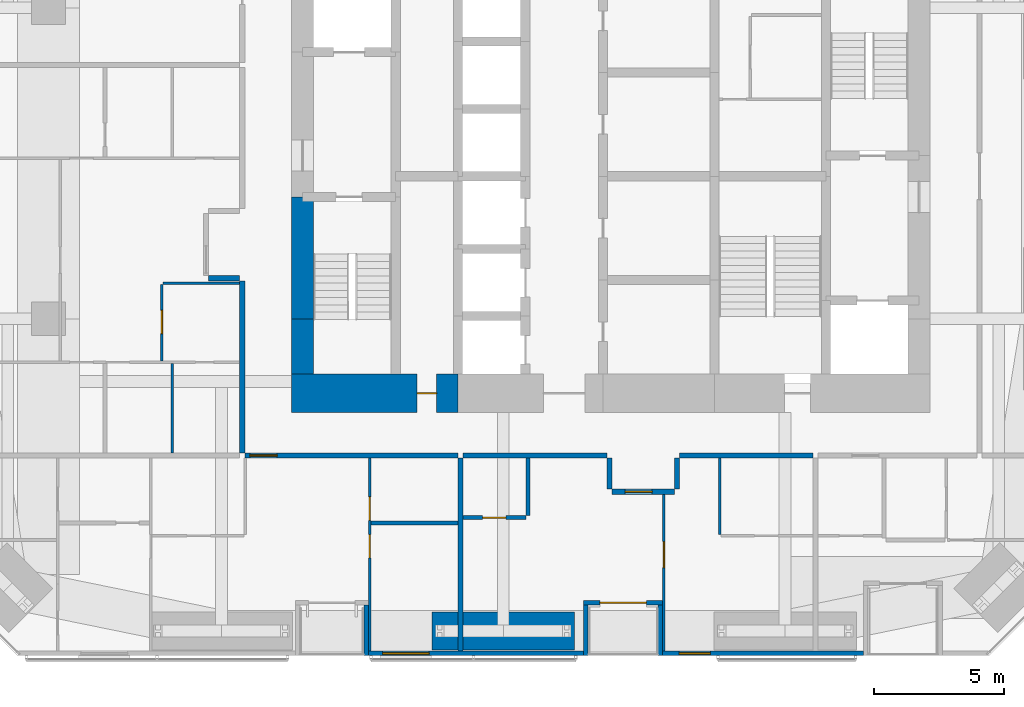
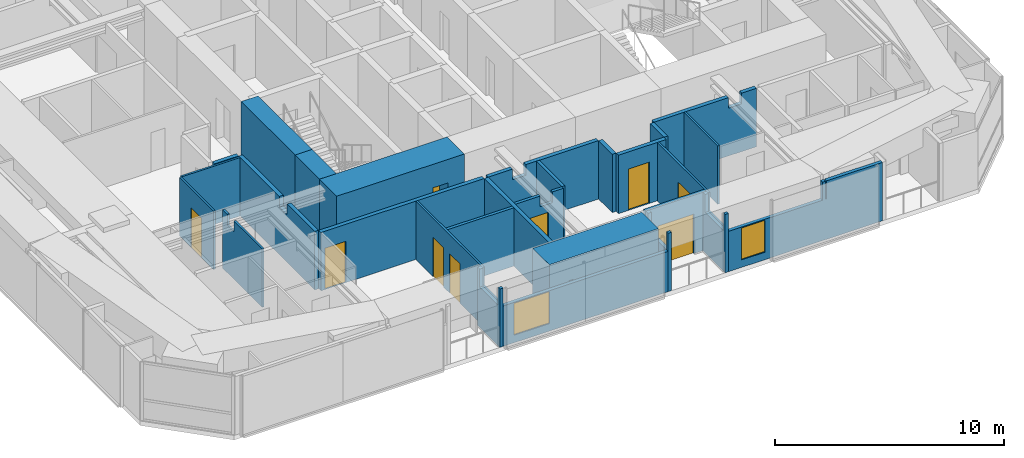
# One storey, part 17 of 23: 28 walls, 9 doors, 2 windows, 11 openings.
"""IFC4 building model written with IfcOpenShell, lengths in metres."""

import ifcopenshell
import ifcopenshell.guid

model = None  # the IFC model being written
_history = None  # IfcOwnerHistory: only IFC2X3 demands one
_inside = {}  # id of a spatial element -> (the spatial element, [elements in it])
_under = {}  # id of a project, library or spatial element -> (it, [spatial elements below it])
_declared = {}  # id of a project -> (the project, [libraries it declares])
_typed = {}  # id of a type object -> (the type object, [elements of that type])
_made_of = {}  # id of a material, layer set ... -> (it, [elements and type objects made of it])


def new_model(schema):
    """Start an empty IFC model of exactly this schema.

    Asked for "IFC4X3", IfcOpenShell would pick the latest addendum, in which some entities
    have other attributes; the version numbers below select the first issue.
    IFC2X3 requires an IfcOwnerHistory on every rooted entity: one is made here for all.
    """
    global model, _history
    if schema == "IFC4X3":
        model = ifcopenshell.file(schema_version=(4, 3, 0, 0))
    else:
        model = ifcopenshell.file(schema=schema)
    _inside.clear()
    _under.clear()
    _declared.clear()
    _typed.clear()
    _made_of.clear()
    _history = None
    if model.schema == "IFC2X3":
        org = make("IfcOrganization", Name="unknown")
        user = make(
            "IfcPersonAndOrganization",
            ThePerson=make("IfcPerson", FamilyName="unknown"),
            TheOrganization=org,
        )
        app = make(
            "IfcApplication",
            ApplicationDeveloper=org,
            Version="unknown",
            ApplicationFullName="unknown",
            ApplicationIdentifier="unknown",
        )
        _history = make(
            "IfcOwnerHistory",
            OwningUser=user,
            OwningApplication=app,
            ChangeAction="ADDED",
            CreationDate=0,
        )
    return model


def make(cls, **values):
    """One entity of the class cls with the attributes given. An attribute that is None is left unset."""
    return model.create_entity(
        cls, **{name: value for name, value in values.items() if value is not None}
    )


def rooted(cls, **values):
    """An entity with a GlobalId (a new one), such as an element, a storey or a relation."""
    return make(cls, GlobalId=ifcopenshell.guid.new(), OwnerHistory=_history, **values)


def si_unit(unit_type, name, prefix=None):
    """IfcSIUnit, for example si_unit("LENGTHUNIT", "METRE", prefix="MILLI")."""
    return make("IfcSIUnit", UnitType=unit_type, Prefix=prefix, Name=name)


def assignment(units):
    """IfcUnitAssignment: the units of a project."""
    return None if units is None else make("IfcUnitAssignment", Units=units)


def point(xyz):
    """IfcCartesianPoint."""
    return None if xyz is None else make("IfcCartesianPoint", Coordinates=xyz)


def direction(xyz):
    """IfcDirection."""
    return None if xyz is None else make("IfcDirection", DirectionRatios=xyz)


def frame(location, z_axis=None, x_axis=None):
    """IfcAxis2Placement3D, a coordinate frame: its origin and axes. An axis left out is left unset."""
    return make(
        "IfcAxis2Placement3D",
        Location=point(location),
        Axis=direction(z_axis),
        RefDirection=direction(x_axis),
    )


def frame_2d(location, x_axis=None):
    """IfcAxis2Placement2D, a coordinate frame in the plane: its origin and x axis."""
    return make(
        "IfcAxis2Placement2D", Location=point(location), RefDirection=direction(x_axis)
    )


def origin():
    """The frame at (0, 0, 0) with its axes left unset."""
    return frame((0.0, 0.0, 0.0))


def place(relative_to, where):
    """IfcLocalPlacement: puts the frame where relative to a parent placement (None: the world)."""
    return make(
        "IfcLocalPlacement", PlacementRelTo=relative_to, RelativePlacement=where
    )


def context(
    kind, dimensions, precision=None, world=None, true_north=None, identifier=None
):
    """IfcGeometricRepresentationContext, for example the 3D "Model" context."""
    return make(
        "IfcGeometricRepresentationContext",
        ContextIdentifier=identifier,
        ContextType=kind,
        CoordinateSpaceDimension=dimensions,
        Precision=precision,
        WorldCoordinateSystem=world,
        TrueNorth=true_north,
    )


def subcontext(parent, identifier, kind, view, scale=None):
    """IfcGeometricRepresentationSubContext, for example "Body" below "Model"."""
    return make(
        "IfcGeometricRepresentationSubContext",
        ContextIdentifier=identifier,
        ContextType=kind,
        ParentContext=parent,
        TargetScale=scale,
        TargetView=view,
    )


def project(units=None, contexts=None):
    """IfcProject with its units and contexts."""
    return rooted(
        "IfcProject",
        Name="project",
        RepresentationContexts=contexts,
        UnitsInContext=assignment(units),
    )


def spatial(cls, under=None, at=None, **own):
    """A site, building, storey or space (cls), placed at a placement, below another one or the project."""
    s = rooted(cls, ObjectPlacement=at, **own)
    if under is not None:
        _under.setdefault(under.id(), (under, []))[1].append(s)
    return s


def polyline(points):
    """IfcPolyline through the points."""
    return make("IfcPolyline", Points=[point(p) for p in points])


def profile(cls, at=None, kind="AREA", **sizes):
    """A parametric profile (cls). Its sizes go by their IFC names, for example OverallWidth=200.0."""
    return make(cls, ProfileType=kind, Position=at, **sizes)


def rectangle(**sizes):
    """IfcRectangleProfileDef."""
    return profile("IfcRectangleProfileDef", **sizes)


def outline(outer, holes=None, kind="AREA"):
    """IfcArbitraryClosedProfileDef: a profile drawn as a closed curve; with holes, ...WithVoids."""
    if holes is None:
        return make("IfcArbitraryClosedProfileDef", ProfileType=kind, OuterCurve=outer)
    return make(
        "IfcArbitraryProfileDefWithVoids",
        ProfileType=kind,
        OuterCurve=outer,
        InnerCurves=holes,
    )


def extrude(swept, where, along, depth):
    """IfcExtrudedAreaSolid: the profile swept, set in the frame where, extruded along a direction by depth."""
    return make(
        "IfcExtrudedAreaSolid",
        SweptArea=swept,
        Position=where,
        ExtrudedDirection=direction(along),
        Depth=depth,
    )


def shape(context_of_items, identifier, shape_type, items):
    """IfcShapeRepresentation: the items that make up one representation, for example the "Body"."""
    return make(
        "IfcShapeRepresentation",
        ContextOfItems=context_of_items,
        RepresentationIdentifier=identifier,
        RepresentationType=shape_type,
        Items=items,
    )


def material(Name=None, Category=None):
    """IfcMaterial."""
    return make("IfcMaterial", Name=Name, Category=Category)


def layer(
    of_material, thickness, ventilated=None, Name=None, Category=None, Priority=None
):
    """IfcMaterialLayer: one layer of a wall or slab, of a material (None: an air gap)."""
    return make(
        "IfcMaterialLayer",
        Material=of_material,
        LayerThickness=thickness,
        IsVentilated=ventilated,
        Name=Name,
        Category=Category,
        Priority=Priority,
    )


def layer_set(layers, Name=None):
    """IfcMaterialLayerSet."""
    return make("IfcMaterialLayerSet", MaterialLayers=layers, LayerSetName=Name)


def constituent(of_material, Name=None, Category=None, fraction=None):
    """IfcMaterialConstituent: one of the materials an element consists of."""
    return make(
        "IfcMaterialConstituent",
        Name=Name,
        Material=of_material,
        Fraction=fraction,
        Category=Category,
    )


def constituent_set(constituents=None, Name=None):
    """IfcMaterialConstituentSet."""
    return make(
        "IfcMaterialConstituentSet", Name=Name, MaterialConstituents=constituents
    )


def made_of(thing, what):
    """Note that an element or type object is made of a material, layer set ...; save() writes the relation."""
    if what is not None:
        _made_of.setdefault(what.id(), (what, []))[1].append(thing)
    return thing


def type_object(cls, material=None, **own):
    """A type object (cls), such as IfcWallType, which elements share."""
    return made_of(rooted(cls, **own), material)


def element(
    cls,
    number,
    at=None,
    inside=None,
    cuts=None,
    type_object=None,
    material=None,
    context=None,
    identifier="Body",
    shape_type=None,
    held_by="IfcProductDefinitionShape",
    body=None,
    shapes=None,
    **own,
):
    """One element of the class cls, such as IfcWall. Its Tag is "e" and its number.

    at: its placement. inside: the storey or other place that contains it. cuts: it is an
    opening in that element (IfcRelVoidsElement). A single representation is given by context,
    identifier, shape_type and body (its items); several are given by shapes. held_by: the class
    of the entity that holds the representations. save() writes the other relations.
    """
    e = rooted(cls, Tag="e%d" % number, ObjectPlacement=at, **own)
    if body is not None:
        shapes = [shape(context, identifier, shape_type, body)]
    if shapes is not None:
        e.Representation = make(held_by, Representations=shapes)
    if inside is not None:
        _inside.setdefault(inside.id(), (inside, []))[1].append(e)
    if cuts is not None:
        rooted(
            "IfcRelVoidsElement", RelatingBuildingElement=cuts, RelatedOpeningElement=e
        )
    if type_object is not None:
        _typed.setdefault(type_object.id(), (type_object, []))[1].append(e)
    return made_of(e, material)


def fill(opening, filler):
    """IfcRelFillsElement: the door or window that sits in an opening."""
    return rooted(
        "IfcRelFillsElement",
        RelatingOpeningElement=opening,
        RelatedBuildingElement=filler,
    )


def aggregate(whole, parts):
    """IfcRelAggregates: a whole, such as a stair, and the parts it consists of."""
    return rooted("IfcRelAggregates", RelatingObject=whole, RelatedObjects=parts)


def save(model, path):
    """Write the relations noted so far, then the file.

    IfcRelAggregates (storeys below a building ...), IfcRelContainedInSpatialStructure (elements
    in a storey), IfcRelDefinesByType, IfcRelAssociatesMaterial and IfcRelDeclares: one each for
    every whole, place, type object, material and project.
    """
    for whole, parts in _under.values():
        aggregate(whole, parts)
    for where, things in _inside.values():
        rooted(
            "IfcRelContainedInSpatialStructure",
            RelatedElements=things,
            RelatingStructure=where,
        )
    for kind, things in _typed.values():
        rooted("IfcRelDefinesByType", RelatedObjects=things, RelatingType=kind)
    for what, things in _made_of.values():
        rooted("IfcRelAssociatesMaterial", RelatedObjects=things, RelatingMaterial=what)
    for by, libraries in _declared.values():
        rooted("IfcRelDeclares", RelatingContext=by, RelatedDefinitions=libraries)
    model.write(path)


model = new_model("IFC4")

# Units and contexts
model_context = context("Model", 3, precision=1e-05, world=origin(), true_north=direction((0.0, 1.0)))
body_context = subcontext(model_context, "Body", "Model", "MODEL_VIEW")
ifc_project = project(units=[si_unit("LENGTHUNIT", "METRE"), si_unit("AREAUNIT", "SQUARE_METRE"), si_unit("VOLUMEUNIT", "CUBIC_METRE"), si_unit("PLANEANGLEUNIT", "RADIAN"), si_unit("MASSUNIT", "GRAM", prefix="KILO")], contexts=[model_context])

# Site, building, storey
site_placement = place(None, origin())
site = spatial("IfcSite", under=ifc_project, at=site_placement, CompositionType="ELEMENT")
building_placement = place(site_placement, origin())
building = spatial("IfcBuilding", under=site, at=building_placement, Name="Jalousie Tower", CompositionType="ELEMENT")
storey_placement = place(building_placement, frame((0.0, 0.0, 111.550048828125)))
storey = spatial("IfcBuildingStorey", under=building, at=storey_placement, Name="L30", CompositionType="ELEMENT", Elevation=111.550048828125)

# Wall
ifc_material_1 = material(Name="Concrete block ASTM C90", Category="concrete")
ifc_constituent_1 = constituent(ifc_material_1, Name="Body")
ifc_material_2 = material(Name="Render")
ifc_constituent_2 = constituent(ifc_material_2, Name="Finish")
ifc_constituent_set_1 = constituent_set(constituents=[ifc_constituent_1, ifc_constituent_2])
wall_type_1 = type_object("IfcWallType", Name="BATHROOM WALL 150", PredefinedType="PLUMBINGWALL", material=ifc_constituent_set_1)
wall_1_placement = place(storey_placement, frame((22.64990234375, 5.125, 0.0), z_axis=(0.0, 0.0, 1.0), x_axis=(1.0, 0.0, 0.0)))
element("IfcWall", 1, at=wall_1_placement, inside=storey, type_object=wall_type_1, Name="Bathroom Wall 150 L30", PredefinedType="PLUMBINGWALL", context=body_context, shape_type="SweptSolid", body=[
    extrude(rectangle(XDim=3.35009765625, YDim=0.14990234375, at=frame_2d((1.675048828125, 0.0))), origin(), (0.0, 0.0, 1.0), 3.10986328125),
])

# Wall, opening, door
wall_2_placement = place(storey_placement, frame((26.199951171875, 5.324951171875, 0.0), z_axis=(0.0, 0.0, 1.0), x_axis=(1.0, 0.0, 0.0)))
wall_2 = element("IfcWall", 2, at=wall_2_placement, inside=storey, type_object=wall_type_1, Name="Bathroom Wall 150 L30", PredefinedType="PLUMBINGWALL", context=body_context, shape_type="SweptSolid", body=[
    extrude(outline(polyline([(0.0, 0.0), (2.425048828125, 0.0), (2.425048828125, 3.10986328125), (1.8623046875, 3.10986328125), (1.8623046875, 2.541015625), (1.237548828125, 2.541015625), (1.237548828125, 3.10986328125), (0.0, 3.10986328125), (0.0, 0.0)])), frame((0.0, 0.074951171875, 0.0), z_axis=(0.0, -1.0, 0.0), x_axis=(1.0, 0.0, 0.0)), (0.0, 0.0, 1.0), 0.14990234375),
])
opening_1_placement = place(wall_2_placement, frame((0.75, 0.0, 0.0)))
opening_1 = element("IfcOpeningElement", 3, at=opening_1_placement, cuts=wall_2, Name="Opening D3", PredefinedType="OPENING", context=body_context, shape_type="SweptSolid", body=[
    extrude(rectangle(XDim=0.89990234375, YDim=2.10009765625, at=frame_2d((0.449951171875, 1.050048828125))), frame((0.0, 0.0849609375, 0.0), z_axis=(0.0, -1.0, 0.0), x_axis=(1.0, 0.0, 0.0)), (0.0, 0.0, 1.0), 0.169921875),
])
ifc_material_3 = material(Name="Timber door", Category="wood")
door_type_1 = type_object("IfcDoorType", Name="BATHROOM DOOR 900", OperationType="SINGLE_SWING_LEFT", PredefinedType="DOOR", material=ifc_material_3)
door_1_placement = place(opening_1_placement, origin())
door_1 = element("IfcDoor", 4, at=door_1_placement, inside=storey, type_object=door_type_1, Name="Apartment 3002 bathroom door", OperationType="SINGLE_SWING_LEFT", OverallHeight=2.10009765625, OverallWidth=0.89990234375, PredefinedType="DOOR", context=body_context, shape_type="SweptSolid", body=[
    extrude(rectangle(XDim=0.89990234375, YDim=2.10009765625, at=frame_2d((0.449951171875, 1.050048828125))), frame((0.0, 0.02490234375, 0.0), z_axis=(0.0, -1.0, 0.0), x_axis=(1.0, 0.0, 0.0)), (0.0, 0.0, 1.0), 0.050048828125),
])
fill(opening_1, door_1)

# Wall
wall_3_placement = place(storey_placement, frame((28.699951171875, 5.39990234375, 0.0), z_axis=(0.0, 0.0, 1.0), x_axis=(0.0, 1.0, 0.0)))
element("IfcWall", 5, at=wall_3_placement, inside=storey, type_object=wall_type_1, Name="Bathroom Wall 150 L30", PredefinedType="PLUMBINGWALL", context=body_context, shape_type="SweptSolid", body=[
    extrude(rectangle(XDim=2.22509765625, YDim=0.14990234375, at=frame_2d((1.112548828125, 0.0))), origin(), (0.0, 0.0, 1.0), 3.10986328125),
])

# Wall, opening, door
ifc_material_4 = material(Name="Concrete f'c 120 MPa", Category="concrete")
ifc_layer_1 = layer(ifc_material_4, 1.5)
ifc_layer_set_1 = layer_set([ifc_layer_1], Name="Concrete f'c 120 MPa")
wall_type_2 = type_object("IfcWallType", Name="CORE WALL 1500", PredefinedType="SHEAR", material=ifc_layer_set_1)
wall_4_placement = place(storey_placement, frame((19.574951171875, 10.125, 0.0), z_axis=(0.0, 0.0, 1.0), x_axis=(1.0, 0.0, 0.0)))
wall_4 = element("IfcWall", 6, at=wall_4_placement, inside=storey, type_object=wall_type_2, Name="Core wall SA L30", PredefinedType="SHEAR", context=body_context, shape_type="SweptSolid", body=[
    extrude(rectangle(XDim=6.425048828125, YDim=1.5, at=frame_2d((3.21240234375, 0.0))), origin(), (0.0, 0.0, 1.0), 3.349853515625),
])
opening_2_placement = place(wall_4_placement, frame((4.85009765625, 0.0, 0.0)))
opening_2 = element("IfcOpeningElement", 7, at=opening_2_placement, cuts=wall_4, Name="Opening D16", PredefinedType="OPENING", context=body_context, shape_type="SweptSolid", body=[
    extrude(rectangle(XDim=0.75, YDim=2.10009765625, at=frame_2d((0.375, 1.050048828125))), frame((0.0, 0.760009765625, 0.0), z_axis=(0.0, -1.0, 0.0), x_axis=(1.0, 0.0, 0.0)), (0.0, 0.0, 1.0), 1.52001953125),
])
ifc_material_5 = material(Name="Steel fire door", Category="steel")
door_type_2 = type_object("IfcDoorType", Name="RISER DOOR 750", OperationType="SINGLE_SWING_LEFT", PredefinedType="DOOR", material=ifc_material_5)
door_2_placement = place(opening_2_placement, origin())
door_2 = element("IfcDoor", 8, at=door_2_placement, inside=storey, type_object=door_type_2, Name="South riser door", OperationType="SINGLE_SWING_LEFT", OverallHeight=2.10009765625, OverallWidth=0.75, PredefinedType="DOOR", context=body_context, shape_type="SweptSolid", body=[
    extrude(rectangle(XDim=0.75, YDim=2.10009765625, at=frame_2d((0.375, 1.050048828125))), frame((0.0, 0.02490234375, 0.0), z_axis=(0.0, -1.0, 0.0), x_axis=(1.0, 0.0, 0.0)), (0.0, 0.0, 1.0), 0.050048828125),
])
fill(opening_2, door_2)

# Walls
ifc_material_6 = material(Name="Concrete f'c 120 MPa", Category="concrete")
ifc_layer_2 = layer(ifc_material_6, 0.85009765625)
ifc_layer_set_2 = layer_set([ifc_layer_2], Name="Concrete f'c 120 MPa")
wall_type_3 = type_object("IfcWallType", Name="CORE WALL 850", PredefinedType="SHEAR", material=ifc_layer_set_2)
wall_5_placement = place(storey_placement, frame((20.0, 17.699951171875, 0.0), z_axis=(0.0, 0.0, 1.0), x_axis=(0.0, -1.0, 0.0)))
element("IfcWall", 9, at=wall_5_placement, inside=storey, type_object=wall_type_3, Name="Core wall WC L30", PredefinedType="SHEAR", context=body_context, shape_type="SweptSolid", body=[
    extrude(rectangle(XDim=4.699951171875, YDim=0.85009765625, at=frame_2d((2.35009765625, 0.0))), origin(), (0.0, 0.0, 1.0), 3.349853515625),
])
wall_6_placement = place(storey_placement, frame((20.0, 13.0, 0.0), z_axis=(0.0, 0.0, 1.0), x_axis=(0.0, -1.0, 0.0)))
element("IfcWall", 10, at=wall_6_placement, inside=storey, type_object=wall_type_3, Name="Core wall WD L30", PredefinedType="SHEAR", context=body_context, shape_type="SweptSolid", body=[
    extrude(rectangle(XDim=2.125, YDim=0.85009765625, at=frame_2d((1.0625, 0.0))), origin(), (0.0, 0.0, 1.0), 3.349853515625),
])

# Wall, opening, door
ifc_material_7 = material(Name="Concrete block ASTM C90", Category="concrete")
ifc_constituent_3 = constituent(ifc_material_7, Name="Body")
ifc_material_8 = material(Name="Render")
ifc_constituent_4 = constituent(ifc_material_8, Name="Finish")
ifc_constituent_set_2 = constituent_set(constituents=[ifc_constituent_3, ifc_constituent_4])
wall_type_4 = type_object("IfcWallType", Name="CORRIDOR WALL 200", PredefinedType="PARTITIONING", material=ifc_constituent_set_2)
wall_7_placement = place(storey_placement, frame((17.77490234375, 7.72509765625, 0.0), z_axis=(0.0, 0.0, 1.0), x_axis=(1.0, 0.0, 0.0)))
wall_7 = element("IfcWall", 11, at=wall_7_placement, inside=storey, type_object=wall_type_4, Name="Corridor Wall 200 L30", PredefinedType="PARTITIONING", context=body_context, shape_type="SweptSolid", body=[
    extrude(rectangle(XDim=8.22509765625, YDim=0.199951171875, at=frame_2d((4.112548828125, 0.0))), origin(), (0.0, 0.0, 1.0), 3.10986328125),
])
opening_3_placement = place(wall_7_placement, frame((0.199951171875, 0.0, 0.0)))
opening_3 = element("IfcOpeningElement", 12, at=opening_3_placement, cuts=wall_7, Name="Opening D1", PredefinedType="OPENING", context=body_context, shape_type="SweptSolid", body=[
    extrude(rectangle(XDim=1.050048828125, YDim=2.199951171875, at=frame_2d((0.52490234375, 1.10009765625))), frame((0.0, 0.10986328125, 0.0), z_axis=(0.0, -1.0, 0.0), x_axis=(1.0, 0.0, 0.0)), (0.0, 0.0, 1.0), 0.219970703125),
])
ifc_material_9 = material(Name="Timber fire door", Category="wood")
door_type_3 = type_object("IfcDoorType", Name="APARTMENT ENTRANCE DOOR 1050", OperationType="SINGLE_SWING_LEFT", PredefinedType="DOOR", material=ifc_material_9)
door_3_placement = place(opening_3_placement, frame((1.050048828125, 0.0, 0.0), z_axis=(0.0, 0.0, 1.0), x_axis=(-1.0, 0.0, 0.0)))
door_3 = element("IfcDoor", 13, at=door_3_placement, inside=storey, type_object=door_type_3, Name="Apartment 3001 entrance", OperationType="SINGLE_SWING_RIGHT", OverallHeight=2.199951171875, OverallWidth=1.050048828125, PredefinedType="DOOR", context=body_context, shape_type="SweptSolid", body=[
    extrude(rectangle(XDim=1.050048828125, YDim=2.199951171875, at=frame_2d((0.52490234375, 1.10009765625))), frame((0.0, 0.02490234375, 0.0), z_axis=(0.0, -1.0, 0.0), x_axis=(1.0, 0.0, 0.0)), (0.0, 0.0, 1.0), 0.050048828125),
])
fill(opening_3, door_3)

# Walls
wall_8_placement = place(storey_placement, frame((26.199951171875, 7.72509765625, 0.0), z_axis=(0.0, 0.0, 1.0), x_axis=(1.0, 0.0, 0.0)))
element("IfcWall", 14, at=wall_8_placement, inside=storey, type_object=wall_type_4, Name="Corridor Wall 200 L30", PredefinedType="PARTITIONING", context=body_context, shape_type="SweptSolid", body=[
    extrude(outline(polyline([(0.0, 0.0), (5.550048828125, 0.0), (5.550048828125, 3.10986328125), (1.88720703125, 3.10986328125), (1.88720703125, 2.541015625), (1.212646484375, 2.541015625), (1.212646484375, 3.10986328125), (0.0, 3.10986328125), (0.0, 0.0)])), frame((0.0, 0.10009765625, 0.0), z_axis=(0.0, -1.0, 0.0), x_axis=(1.0, 0.0, 0.0)), (0.0, 0.0, 1.0), 0.199951171875),
])
wall_9_placement = place(storey_placement, frame((17.675048828125, 7.824951171875, 0.0), z_axis=(0.0, 0.0, 1.0), x_axis=(0.0, 1.0, 0.0)))
element("IfcWall", 15, at=wall_9_placement, inside=storey, type_object=wall_type_4, Name="Corridor Wall 200 L30", PredefinedType="PARTITIONING", context=body_context, shape_type="SweptSolid", body=[
    extrude(outline(polyline([(0.0, 0.0), (6.637451171875, 0.0), (6.637451171875, 3.10986328125), (3.08740234375, 3.10986328125), (3.08740234375, 2.541015625), (2.41259765625, 2.541015625), (2.41259765625, 3.10986328125), (0.0, 3.10986328125), (0.0, 0.0)])), frame((0.0, 0.10009765625, 0.0), z_axis=(0.0, -1.0, 0.0), x_axis=(1.0, 0.0, 0.0)), (0.0, 0.0, 1.0), 0.199951171875),
])
wall_10_placement = place(storey_placement, frame((34.550048828125, 7.72509765625, 0.0), z_axis=(0.0, 0.0, 1.0), x_axis=(1.0, 0.0, 0.0)))
element("IfcWall", 16, at=wall_10_placement, inside=storey, type_object=wall_type_4, Name="Corridor Wall 200 L30", PredefinedType="PARTITIONING", context=body_context, shape_type="SweptSolid", body=[
    extrude(outline(polyline([(0.0, 0.0), (5.14990234375, 0.0), (5.14990234375, 3.10986328125), (4.412353515625, 3.10986328125), (4.412353515625, 2.541015625), (3.737548828125, 2.541015625), (3.737548828125, 3.10986328125), (0.0, 3.10986328125), (0.0, 0.0)])), frame((0.0, 0.10009765625, 0.0), z_axis=(0.0, -1.0, 0.0), x_axis=(1.0, 0.0, 0.0)), (0.0, 0.0, 1.0), 0.199951171875),
])

# Wall, opening, door
wall_11_placement = place(storey_placement, frame((31.949951171875, 6.324951171875, 0.0), z_axis=(0.0, 0.0, 1.0), x_axis=(1.0, 0.0, 0.0)))
wall_11 = element("IfcWall", 17, at=wall_11_placement, inside=storey, type_object=wall_type_4, Name="Corridor Wall 200 L30", PredefinedType="PARTITIONING", context=body_context, shape_type="SweptSolid", body=[
    extrude(rectangle(XDim=2.400146484375, YDim=0.199951171875, at=frame_2d((1.2001953125, 0.0))), origin(), (0.0, 0.0, 1.0), 3.10986328125),
])
opening_4_placement = place(wall_11_placement, frame((0.5, 0.0, 0.0)))
opening_4 = element("IfcOpeningElement", 18, at=opening_4_placement, cuts=wall_11, Name="Opening D1", PredefinedType="OPENING", context=body_context, shape_type="SweptSolid", body=[
    extrude(rectangle(XDim=1.050048828125, YDim=2.199951171875, at=frame_2d((0.52490234375, 1.10009765625))), frame((0.0, 0.10986328125, 0.0), z_axis=(0.0, -1.0, 0.0), x_axis=(1.0, 0.0, 0.0)), (0.0, 0.0, 1.0), 0.219970703125),
])
door_4_placement = place(opening_4_placement, frame((1.050048828125, 0.0, 0.0), z_axis=(0.0, 0.0, 1.0), x_axis=(-1.0, 0.0, 0.0)))
door_4 = element("IfcDoor", 19, at=door_4_placement, inside=storey, type_object=door_type_3, Name="Apartment 3002 entrance", OperationType="SINGLE_SWING_LEFT", OverallHeight=2.199951171875, OverallWidth=1.050048828125, PredefinedType="DOOR", context=body_context, shape_type="SweptSolid", body=[
    extrude(rectangle(XDim=1.050048828125, YDim=2.199951171875, at=frame_2d((0.52490234375, 1.10009765625))), frame((0.0, 0.02490234375, 0.0), z_axis=(0.0, -1.0, 0.0), x_axis=(1.0, 0.0, 0.0)), (0.0, 0.0, 1.0), 0.050048828125),
])
fill(opening_4, door_4)

# Walls
for number, where, z_axis, x_axis, name in (
    (20, (31.85009765625, 7.625, 0.0), (0.0, 0.0, 1.0), (0.0, -1.0, 0.0), "Corridor Wall 200 L30"),
    (21, (34.449951171875, 7.625, 0.0), (0.0, 0.0, 1.0), (0.0, -1.0, 0.0), "Corridor Wall 200 L30"),
    (22, (17.574951171875, 14.5625, 0.0), (0.0, 0.0, 1.0), (-1.0, 0.0, 0.0), "Corridor Wall 200 L30"),
):
    element("IfcWall", number, at=place(storey_placement, frame(where, z_axis=z_axis, x_axis=x_axis)), inside=storey, type_object=wall_type_4, Name=name, PredefinedType="PARTITIONING", context=body_context, shape_type="SweptSolid", body=[
        extrude(rectangle(XDim=1.199951171875, YDim=0.199951171875, at=frame_2d((0.60009765625, 0.0))), origin(), (0.0, 0.0, 1.0), 3.10986328125),
    ])

# Wall, opening, window
ifc_material_10 = material(Name="Concrete f'c 40 MPa", Category="concrete")
ifc_constituent_5 = constituent(ifc_material_10, Name="Body")
ifc_material_11 = material(Name="Render, pastel sea green")
ifc_constituent_6 = constituent(ifc_material_11, Name="Finish")
ifc_constituent_set_3 = constituent_set(constituents=[ifc_constituent_5, ifc_constituent_6])
wall_type_5 = type_object("IfcWallType", Name="EXTERNAL WALL 175 SEA GREEN RENDER", PredefinedType="SOLIDWALL", material=ifc_constituent_set_3)
wall_12_placement = place(storey_placement, frame((22.550048828125, 0.08740234375, 0.0), z_axis=(0.0, 0.0, 1.0), x_axis=(1.0, 0.0, 0.0)))
wall_12 = element("IfcWall", 23, at=wall_12_placement, inside=storey, type_object=wall_type_5, Name="External Wall 175 Sea Green Render L30", PredefinedType="SOLIDWALL", context=body_context, shape_type="SweptSolid", body=[
    extrude(rectangle(XDim=8.300048828125, YDim=0.175048828125, at=frame_2d((4.14990234375, 0.0))), origin(), (0.0, 0.0, 1.0), 2.14990234375),
])
opening_5_placement = place(wall_12_placement, frame((0.5400390625, 0.0, 0.39990234375)))
opening_5 = element("IfcOpeningElement", 24, at=opening_5_placement, cuts=wall_12, Name="Opening W-BED170", PredefinedType="OPENING", context=body_context, shape_type="SweptSolid", body=[
    extrude(rectangle(XDim=1.800048828125, YDim=1.699951171875, at=frame_2d((0.89990234375, 0.85009765625))), frame((0.0, 0.097412109375, 0.0), z_axis=(0.0, -1.0, 0.0), x_axis=(1.0, 0.0, 0.0)), (0.0, 0.0, 1.0), 0.195068359375),
])
ifc_material_12 = material(Name="Aluminium frame, impact-rated glazing", Category="aluminium")
window_type_1 = type_object("IfcWindowType", Name="WINDOW BED 1800x1700", PartitioningType="SINGLE_PANEL", PredefinedType="WINDOW", material=ifc_material_12)
window_1_placement = place(opening_5_placement, origin())
window_1 = element("IfcWindow", 25, at=window_1_placement, inside=storey, type_object=window_type_1, Name="Apartment 3001 bedroom 3 window", OverallHeight=1.699951171875, OverallWidth=1.800048828125, PartitioningType="SINGLE_PANEL", PredefinedType="WINDOW", context=body_context, shape_type="SweptSolid", body=[
    extrude(rectangle(XDim=1.800048828125, YDim=1.699951171875, at=frame_2d((0.89990234375, 0.85009765625))), frame((0.0, 0.030029296875, 0.0), z_axis=(0.0, -1.0, 0.0), x_axis=(1.0, 0.0, 0.0)), (0.0, 0.0, 1.0), 0.06005859375),
])
fill(opening_5, window_1)

wall_13_placement = place(storey_placement, frame((33.89990234375, 0.08740234375, 0.0), z_axis=(0.0, 0.0, 1.0), x_axis=(1.0, 0.0, 0.0)))
wall_13 = element("IfcWall", 26, at=wall_13_placement, inside=storey, type_object=wall_type_5, Name="External Wall 175 Sea Green Render L30", PredefinedType="SOLIDWALL", context=body_context, shape_type="SweptSolid", body=[
    extrude(outline(polyline([(0.0, 0.0), (7.75, 0.0), (7.75, 3.10986328125), (4.92822265625, 3.10986328125), (4.92822265625, 2.14990234375), (4.883056640625, 2.14990234375), (4.883056640625, 3.10986328125), (4.72509765625, 3.10986328125), (4.72509765625, 2.14990234375), (0.0, 2.14990234375), (0.0, 0.0)])), frame((0.0, 0.08740234375, 0.0), z_axis=(0.0, -1.0, 0.0), x_axis=(1.0, 0.0, 0.0)), (0.0, 0.0, 1.0), 0.175048828125),
])
opening_6_placement = place(wall_13_placement, frame((0.639892578125, 0.0, 0.39990234375)))
opening_6 = element("IfcOpeningElement", 27, at=opening_6_placement, cuts=wall_13, Name="Opening W-COR170", PredefinedType="OPENING", context=body_context, shape_type="SweptSolid", body=[
    extrude(rectangle(XDim=1.199951171875, YDim=1.699951171875, at=frame_2d((0.60009765625, 0.85009765625))), frame((0.0, 0.097412109375, 0.0), z_axis=(0.0, -1.0, 0.0), x_axis=(1.0, 0.0, 0.0)), (0.0, 0.0, 1.0), 0.195068359375),
])
ifc_material_13 = material(Name="Aluminium frame, impact-rated glazing", Category="aluminium")
window_type_2 = type_object("IfcWindowType", Name="WINDOW COR 1200x1700", PartitioningType="SINGLE_PANEL", PredefinedType="WINDOW", material=ifc_material_13)
window_2_placement = place(opening_6_placement, origin())
window_2 = element("IfcWindow", 28, at=window_2_placement, inside=storey, type_object=window_type_2, Name="Apartment 3002 dining room window", OverallHeight=1.699951171875, OverallWidth=1.199951171875, PartitioningType="SINGLE_PANEL", PredefinedType="WINDOW", context=body_context, shape_type="SweptSolid", body=[
    extrude(rectangle(XDim=1.199951171875, YDim=1.699951171875, at=frame_2d((0.60009765625, 0.85009765625))), frame((0.0, 0.030029296875, 0.0), z_axis=(0.0, -1.0, 0.0), x_axis=(1.0, 0.0, 0.0)), (0.0, 0.0, 1.0), 0.06005859375),
])
fill(opening_6, window_2)

# Wall
wall_14_placement = place(storey_placement, frame((22.46240234375, 0.0, 0.0), z_axis=(0.0, 0.0, 1.0), x_axis=(0.0, 1.0, 0.0)))
element("IfcWall", 29, at=wall_14_placement, inside=storey, type_object=wall_type_5, Name="External Wall 175 Sea Green Render L30", PredefinedType="SOLIDWALL", context=body_context, shape_type="SweptSolid", body=[
    extrude(outline(polyline([(0.0, 0.0), (1.949951171875, 0.0), (1.949951171875, 3.10986328125), (1.75, 3.10986328125), (1.75, 2.14990234375), (0.14990234375, 2.14990234375), (0.14990234375, 3.10986328125), (0.0, 3.10986328125), (0.0, 0.0)])), frame((0.0, 0.08740234375, 0.0), z_axis=(0.0, -1.0, 0.0), x_axis=(1.0, 0.0, 0.0)), (0.0, 0.0, 1.0), 0.175048828125),
])

# Wall, opening, door
wall_15_placement = place(storey_placement, frame((30.85009765625, 2.03759765625, 0.0), z_axis=(0.0, 0.0, 1.0), x_axis=(1.0, 0.0, 0.0)))
wall_15 = element("IfcWall", 30, at=wall_15_placement, inside=storey, type_object=wall_type_5, Name="External Wall 175 Sea Green Render L30", PredefinedType="SOLIDWALL", context=body_context, shape_type="SweptSolid", body=[
    extrude(rectangle(XDim=3.0498046875, YDim=0.175048828125, at=frame_2d((1.52490234375, 0.0))), origin(), (0.0, 0.0, 1.0), 3.10986328125),
])
opening_7_placement = place(wall_15_placement, frame((0.625, 0.0, 0.0)))
opening_7 = element("IfcOpeningElement", 31, at=opening_7_placement, cuts=wall_15, Name="Opening D-BAL21", PredefinedType="OPENING", context=body_context, shape_type="SweptSolid", body=[
    extrude(rectangle(XDim=1.800048828125, YDim=2.10009765625, at=frame_2d((0.89990234375, 1.050048828125))), frame((0.0, 0.097412109375, 0.0), z_axis=(0.0, -1.0, 0.0), x_axis=(1.0, 0.0, 0.0)), (0.0, 0.0, 1.0), 0.195068359375),
])
ifc_material_14 = material(Name="Aluminium frame, impact-rated glazing", Category="aluminium")
door_type_4 = type_object("IfcDoorType", Name="BALCONY DOOR 1800x2100", OperationType="SLIDING_TO_LEFT", PredefinedType="DOOR", material=ifc_material_14)
door_5_placement = place(opening_7_placement, origin())
door_5 = element("IfcDoor", 32, at=door_5_placement, inside=storey, type_object=door_type_4, Name="Apartment 3002 studio living and sleeping room loggia door", OperationType="SLIDING_TO_LEFT", OverallHeight=2.10009765625, OverallWidth=1.800048828125, PredefinedType="DOOR", context=body_context, shape_type="SweptSolid", body=[
    extrude(rectangle(XDim=1.800048828125, YDim=2.10009765625, at=frame_2d((0.89990234375, 1.050048828125))), frame((0.0, 0.02490234375, 0.0), z_axis=(0.0, -1.0, 0.0), x_axis=(1.0, 0.0, 0.0)), (0.0, 0.0, 1.0), 0.050048828125),
])
fill(opening_7, door_5)

# Walls
for number, where, z_axis, x_axis, name in (
    (33, (30.9375, 0.0, 0.0), (0.0, 0.0, 1.0), (0.0, 1.0, 0.0), "External Wall 175 Sea Green Render L30"),
    (34, (33.8125, 0.0, 0.0), (0.0, 0.0, 1.0), (0.0, 1.0, 0.0), "External Wall 175 Sea Green Render L30"),
):
    element("IfcWall", number, at=place(storey_placement, frame(where, z_axis=z_axis, x_axis=x_axis)), inside=storey, type_object=wall_type_5, Name=name, PredefinedType="SOLIDWALL", context=body_context, shape_type="SweptSolid", body=[
        extrude(outline(polyline([(0.0, 0.0), (1.949951171875, 0.0), (1.949951171875, 3.10986328125), (1.75, 3.10986328125), (1.75, 2.14990234375), (0.14990234375, 2.14990234375), (0.14990234375, 3.10986328125), (0.0, 3.10986328125), (0.0, 0.0)])), frame((0.0, 0.08740234375, 0.0), z_axis=(0.0, -1.0, 0.0), x_axis=(1.0, 0.0, 0.0)), (0.0, 0.0, 1.0), 0.175048828125),
    ])

# Wall, openings, doors
ifc_material_15 = material(Name="Gypsum board", Category="gypsum")
ifc_constituent_7 = constituent(ifc_material_15, Name="Body")
ifc_material_16 = material(Name="Light-gauge steel studs ASTM A653 SS Grade 33", Category="steel")
ifc_constituent_8 = constituent(ifc_material_16, Name="Framing")
ifc_constituent_set_4 = constituent_set(constituents=[ifc_constituent_7, ifc_constituent_8])
wall_type_6 = type_object("IfcWallType", Name="PARTITION 100", PredefinedType="PARTITIONING", material=ifc_constituent_set_4)
wall_16_placement = place(storey_placement, frame((22.60009765625, 0.175048828125, 0.0), z_axis=(0.0, 0.0, 1.0), x_axis=(0.0, 1.0, 0.0)))
wall_16 = element("IfcWall", 35, at=wall_16_placement, inside=storey, type_object=wall_type_6, Name="Partition 100 L30", PredefinedType="PARTITIONING", context=body_context, shape_type="SweptSolid", body=[
    extrude(outline(polyline([(0.0, 0.0), (7.449951171875, 0.0), (7.449951171875, 3.10986328125), (1.635009765625, 3.10986328125), (1.635009765625, 2.14990234375), (0.0, 2.14990234375), (0.0, 3.10986328125), (0.0, 0.0)])), frame((0.0, 0.050048828125, 0.0), z_axis=(0.0, -1.0, 0.0), x_axis=(1.0, 0.0, 0.0)), (0.0, 0.0, 1.0), 0.10009765625),
])
opening_8_placement = place(wall_16_placement, frame((3.60009765625, 0.0, 0.0)))
opening_8 = element("IfcOpeningElement", 36, at=opening_8_placement, cuts=wall_16, Name="Opening D2", PredefinedType="OPENING", context=body_context, shape_type="SweptSolid", body=[
    extrude(rectangle(XDim=0.89990234375, YDim=2.10009765625, at=frame_2d((0.449951171875, 1.050048828125))), frame((0.0, 0.06005859375, 0.0), z_axis=(0.0, -1.0, 0.0), x_axis=(1.0, 0.0, 0.0)), (0.0, 0.0, 1.0), 0.1201171875),
])
opening_9_placement = place(wall_16_placement, frame((5.050048828125, 0.0, 0.0)))
opening_9 = element("IfcOpeningElement", 37, at=opening_9_placement, cuts=wall_16, Name="Opening D7", PredefinedType="OPENING", context=body_context, shape_type="SweptSolid", body=[
    extrude(rectangle(XDim=0.89990234375, YDim=2.10009765625, at=frame_2d((0.449951171875, 1.050048828125))), frame((0.0, 0.06005859375, 0.0), z_axis=(0.0, -1.0, 0.0), x_axis=(1.0, 0.0, 0.0)), (0.0, 0.0, 1.0), 0.1201171875),
])
ifc_material_17 = material(Name="Timber door", Category="wood")
door_type_5 = type_object("IfcDoorType", Name="BEDROOM DOOR 900", OperationType="SINGLE_SWING_LEFT", PredefinedType="DOOR", material=ifc_material_17)
door_6_placement = place(opening_8_placement, frame((0.89990234375, 0.0, 0.0), z_axis=(0.0, 0.0, 1.0), x_axis=(-1.0, 0.0, 0.0)))
door_6 = element("IfcDoor", 38, at=door_6_placement, inside=storey, type_object=door_type_5, Name="Apartment 3001 bedroom 3 door", OperationType="SINGLE_SWING_LEFT", OverallHeight=2.10009765625, OverallWidth=0.89990234375, PredefinedType="DOOR", context=body_context, shape_type="SweptSolid", body=[
    extrude(rectangle(XDim=0.89990234375, YDim=2.10009765625, at=frame_2d((0.449951171875, 1.050048828125))), frame((0.0, 0.02490234375, 0.0), z_axis=(0.0, -1.0, 0.0), x_axis=(1.0, 0.0, 0.0)), (0.0, 0.0, 1.0), 0.050048828125),
])
fill(opening_8, door_6)
ifc_material_18 = material(Name="Timber door", Category="wood")
door_type_6 = type_object("IfcDoorType", Name="INTERNAL DOOR 900", OperationType="SINGLE_SWING_LEFT", PredefinedType="DOOR", material=ifc_material_18)
door_7_placement = place(opening_9_placement, frame((0.89990234375, 0.0, 0.0), z_axis=(0.0, 0.0, 1.0), x_axis=(-1.0, 0.0, 0.0)))
door_7 = element("IfcDoor", 39, at=door_7_placement, inside=storey, type_object=door_type_6, Name="Apartment 3001 bathroom door", OperationType="SINGLE_SWING_RIGHT", OverallHeight=2.10009765625, OverallWidth=0.89990234375, PredefinedType="DOOR", context=body_context, shape_type="SweptSolid", body=[
    extrude(rectangle(XDim=0.89990234375, YDim=2.10009765625, at=frame_2d((0.449951171875, 1.050048828125))), frame((0.0, 0.02490234375, 0.0), z_axis=(0.0, -1.0, 0.0), x_axis=(1.0, 0.0, 0.0)), (0.0, 0.0, 1.0), 0.050048828125),
])
fill(opening_9, door_7)

# Wall
wall_17_placement = place(storey_placement, frame((36.10009765625, 4.675048828125, 0.0), z_axis=(0.0, 0.0, 1.0), x_axis=(0.0, 1.0, 0.0)))
element("IfcWall", 40, at=wall_17_placement, inside=storey, type_object=wall_type_6, Name="Partition 100 L30", PredefinedType="PARTITIONING", context=body_context, shape_type="SweptSolid", body=[
    extrude(rectangle(XDim=2.949951171875, YDim=0.10009765625, at=frame_2d((1.47509765625, 0.0))), origin(), (0.0, 0.0, 1.0), 3.10986328125),
])

# Wall, opening, door
wall_18_placement = place(storey_placement, frame((33.949951171875, 0.175048828125, 0.0), z_axis=(0.0, 0.0, 1.0), x_axis=(0.0, 1.0, 0.0)))
wall_18 = element("IfcWall", 41, at=wall_18_placement, inside=storey, type_object=wall_type_6, Name="Partition 100 L30", PredefinedType="PARTITIONING", context=body_context, shape_type="SweptSolid", body=[
    extrude(outline(polyline([(0.0, 0.0), (6.050048828125, 0.0), (6.050048828125, 3.10986328125), (1.635009765625, 3.10986328125), (1.635009765625, 2.14990234375), (0.0, 2.14990234375), (0.0, 3.10986328125), (0.0, 0.0)])), frame((0.0, 0.050048828125, 0.0), z_axis=(0.0, -1.0, 0.0), x_axis=(1.0, 0.0, 0.0)), (0.0, 0.0, 1.0), 0.10009765625),
])
opening_10_placement = place(wall_18_placement, frame((3.22509765625, 0.0, 0.0)))
opening_10 = element("IfcOpeningElement", 42, at=opening_10_placement, cuts=wall_18, Name="Opening D6", PredefinedType="OPENING", context=body_context, shape_type="SweptSolid", body=[
    extrude(rectangle(XDim=1.0, YDim=2.10009765625, at=frame_2d((0.5, 1.050048828125))), frame((0.0, 0.06005859375, 0.0), z_axis=(0.0, -1.0, 0.0), x_axis=(1.0, 0.0, 0.0)), (0.0, 0.0, 1.0), 0.1201171875),
])
ifc_material_19 = material(Name="Timber door", Category="wood")
door_type_7 = type_object("IfcDoorType", Name="INTERNAL DOOR 1000", OperationType="SINGLE_SWING_LEFT", PredefinedType="DOOR", material=ifc_material_19)
door_8_placement = place(opening_10_placement, frame((1.0, 0.0, 0.0), z_axis=(0.0, 0.0, 1.0), x_axis=(-1.0, 0.0, 0.0)))
door_8 = element("IfcDoor", 43, at=door_8_placement, inside=storey, type_object=door_type_7, Name="Apartment 3002 dining room door", OperationType="SINGLE_SWING_LEFT", OverallHeight=2.10009765625, OverallWidth=1.0, PredefinedType="DOOR", context=body_context, shape_type="SweptSolid", body=[
    extrude(rectangle(XDim=1.0, YDim=2.10009765625, at=frame_2d((0.5, 1.050048828125))), frame((0.0, 0.02490234375, 0.0), z_axis=(0.0, -1.0, 0.0), x_axis=(1.0, 0.0, 0.0)), (0.0, 0.0, 1.0), 0.050048828125),
])
fill(opening_10, door_8)

# Wall
wall_19_placement = place(storey_placement, frame((14.97509765625, 7.824951171875, 0.0), z_axis=(0.0, 0.0, 1.0), x_axis=(0.0, 1.0, 0.0)))
element("IfcWall", 44, at=wall_19_placement, inside=storey, type_object=wall_type_6, Name="Partition 100 L30", PredefinedType="PARTITIONING", context=body_context, shape_type="SweptSolid", body=[
    extrude(outline(polyline([(0.0, 0.0), (3.449951171875, 0.0), (3.449951171875, 3.10986328125), (3.037353515625, 3.10986328125), (3.037353515625, 2.541015625), (2.462646484375, 2.541015625), (2.462646484375, 3.10986328125), (0.0, 3.10986328125), (0.0, 0.0)])), frame((0.0, 0.050048828125, 0.0), z_axis=(0.0, -1.0, 0.0), x_axis=(1.0, 0.0, 0.0)), (0.0, 0.0, 1.0), 0.10009765625),
])

# Wall, opening, door
wall_20_placement = place(storey_placement, frame((14.574951171875, 11.375, 0.0), z_axis=(0.0, 0.0, 1.0), x_axis=(0.0, 1.0, 0.0)))
wall_20 = element("IfcWall", 45, at=wall_20_placement, inside=storey, type_object=wall_type_6, Name="Partition 100 L30", PredefinedType="PARTITIONING", context=body_context, shape_type="SweptSolid", body=[
    extrude(rectangle(XDim=2.949951171875, YDim=0.10009765625, at=frame_2d((1.47509765625, 0.0))), origin(), (0.0, 0.0, 1.0), 3.10986328125),
])
opening_11_placement = place(wall_20_placement, frame((1.050048828125, 0.0, 0.0)))
opening_11 = element("IfcOpeningElement", 46, at=opening_11_placement, cuts=wall_20, Name="Opening D7", PredefinedType="OPENING", context=body_context, shape_type="SweptSolid", body=[
    extrude(rectangle(XDim=0.89990234375, YDim=2.10009765625, at=frame_2d((0.449951171875, 1.050048828125))), frame((0.0, 0.06005859375, 0.0), z_axis=(0.0, -1.0, 0.0), x_axis=(1.0, 0.0, 0.0)), (0.0, 0.0, 1.0), 0.1201171875),
])
door_9_placement = place(opening_11_placement, frame((0.89990234375, 0.0, 0.0), z_axis=(0.0, 0.0, 1.0), x_axis=(-1.0, 0.0, 0.0)))
door_9 = element("IfcDoor", 47, at=door_9_placement, inside=storey, type_object=door_type_6, Name="Apartment 3005 kitchen door", OperationType="SINGLE_SWING_LEFT", OverallHeight=2.10009765625, OverallWidth=0.89990234375, PredefinedType="DOOR", context=body_context, shape_type="SweptSolid", body=[
    extrude(rectangle(XDim=0.89990234375, YDim=2.10009765625, at=frame_2d((0.449951171875, 1.050048828125))), frame((0.0, 0.02490234375, 0.0), z_axis=(0.0, -1.0, 0.0), x_axis=(1.0, 0.0, 0.0)), (0.0, 0.0, 1.0), 0.050048828125),
])
fill(opening_11, door_9)

# Walls
wall_21_placement = place(storey_placement, frame((14.625, 14.375, 0.0), z_axis=(0.0, 0.0, 1.0), x_axis=(1.0, 0.0, 0.0)))
element("IfcWall", 48, at=wall_21_placement, inside=storey, type_object=wall_type_6, Name="Partition 100 L30", PredefinedType="PARTITIONING", context=body_context, shape_type="SweptSolid", body=[
    extrude(rectangle(XDim=2.949951171875, YDim=0.10009765625, at=frame_2d((1.47509765625, 0.0))), origin(), (0.0, 0.0, 1.0), 3.10986328125),
])
ifc_material_20 = material(Name="Concrete block ASTM C90", Category="concrete")
ifc_constituent_9 = constituent(ifc_material_20, Name="Body")
ifc_material_21 = material(Name="Render")
ifc_constituent_10 = constituent(ifc_material_21, Name="Finish")
ifc_constituent_set_5 = constituent_set(constituents=[ifc_constituent_9, ifc_constituent_10])
wall_type_7 = type_object("IfcWallType", Name="PARTY WALL 200", PredefinedType="PARTITIONING", material=ifc_constituent_set_5)
wall_22_placement = place(storey_placement, frame((26.10009765625, 0.175048828125, 0.0), z_axis=(0.0, 0.0, 1.0), x_axis=(0.0, 1.0, 0.0)))
element("IfcWall", 49, at=wall_22_placement, inside=storey, type_object=wall_type_7, Name="Party Wall 200 L30", PredefinedType="PARTITIONING", context=body_context, shape_type="SweptSolid", body=[
    extrude(outline(polyline([(0.52880859375, 2.14990234375), (0.0, 2.14990234375), (0.0, 0.0), (0.52880859375, 0.0), (0.52880859375, 0.3759765625), (1.021240234375, 0.3759765625), (1.021240234375, 0.0), (7.449951171875, 0.0), (7.449951171875, 3.10986328125), (1.68505859375, 3.10986328125), (1.68505859375, 2.14990234375), (1.021240234375, 2.14990234375), (1.021240234375, 1.77392578125), (0.52880859375, 1.77392578125), (0.52880859375, 2.14990234375)])), frame((0.0, 0.10009765625, 0.0), z_axis=(0.0, -1.0, 0.0), x_axis=(1.0, 0.0, 0.0)), (0.0, 0.0, 1.0), 0.199951171875),
])
ifc_material_22 = material(Name="Concrete f'c 120 MPa", Category="concrete")
ifc_layer_3 = layer(ifc_material_22, 1.449951171875)
ifc_layer_set_3 = layer_set([ifc_layer_3], Name="Concrete f'c 120 MPa")
wall_type_8 = type_object("IfcWallType", Name="RC WALL PIER 1450", PredefinedType="SHEAR", material=ifc_layer_set_3)
wall_23_placement = place(storey_placement, frame((25.0, 0.949951171875, 0.0), z_axis=(0.0, 0.0, 1.0), x_axis=(1.0, 0.0, 0.0)))
element("IfcWall", 50, at=wall_23_placement, inside=storey, type_object=wall_type_8, Name="Wall pier 03 L30", PredefinedType="SHEAR", context=body_context, shape_type="SweptSolid", body=[
    extrude(rectangle(XDim=5.5, YDim=1.449951171875, at=frame_2d((2.75, 0.0))), origin(), (0.0, 0.0, 1.0), 3.349853515625),
])

save(model, "model.ifc")
